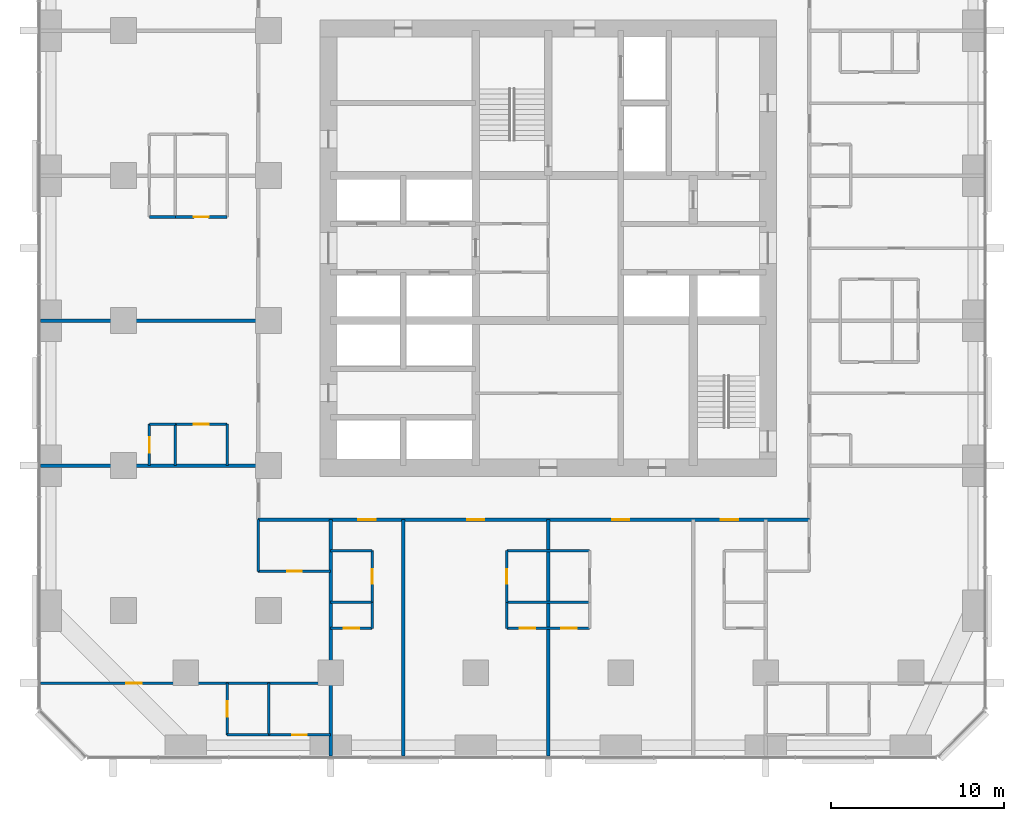
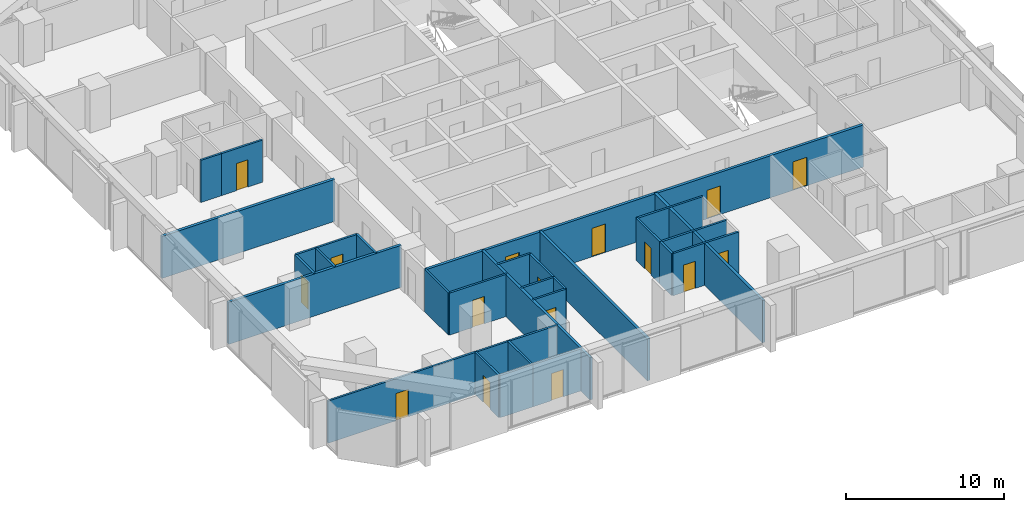
# One storey, part 8 of 14: 30 walls, 16 doors, 16 openings.
"""IFC4 building model written with IfcOpenShell, lengths in metres."""

from ifc_helpers import new_model, si_unit, direction, frame, frame_2d, origin, place, context, subcontext, project, spatial, rectangle, extrude, material, layer, layer_set, type_object, element, fill, save


model = new_model("IFC4")

# Units and contexts
model_context = context("Model", 3, precision=1e-05, world=origin(), true_north=direction((0.0, 1.0)))
body_context = subcontext(model_context, "Body", "Model", "MODEL_VIEW")
ifc_project = project(units=[si_unit("LENGTHUNIT", "METRE"), si_unit("AREAUNIT", "SQUARE_METRE"), si_unit("VOLUMEUNIT", "CUBIC_METRE"), si_unit("PLANEANGLEUNIT", "RADIAN"), si_unit("MASSUNIT", "GRAM", prefix="KILO")], contexts=[model_context])

# Site, building, storey
site_placement = place(None, origin())
site = spatial("IfcSite", under=ifc_project, at=site_placement, CompositionType="ELEMENT")
building_placement = place(site_placement, origin())
building = spatial("IfcBuilding", under=site, at=building_placement, Name="Dunama Terrace Hotel", CompositionType="ELEMENT")
storey_placement = place(building_placement, frame((0.0, 0.0, 122.39990234375)))
storey = spatial("IfcBuildingStorey", under=building, at=storey_placement, Name="L31", CompositionType="ELEMENT", Elevation=122.39990234375)

# Walls
ifc_material_1 = material(Name="Gypsum board partition", Category="masonry")
ifc_layer_1 = layer(ifc_material_1, 0.14990234375)
ifc_layer_set_1 = layer_set([ifc_layer_1], Name="Bathroom partition 150")
wall_type_1 = type_object("IfcWallType", Name="Bathroom partition 150", PredefinedType="PARTITIONING", material=ifc_layer_set_1)
wall_1_placement = place(storey_placement, frame((10.800048828125, 16.800048828125, 0.0), z_axis=(0.0, 0.0, 1.0), x_axis=(0.0, 1.0, 0.0)))
element("IfcWall", 1, at=wall_1_placement, inside=storey, type_object=wall_type_1, Name="Bathroom partition 150 L31", PredefinedType="PARTITIONING", context=body_context, shape_type="SweptSolid", body=[
    extrude(rectangle(XDim=2.39990234375, YDim=0.14990234375, at=frame_2d((1.199951171875, 0.0))), origin(), (0.0, 0.0, 1.0), 3.25),
])
wall_2_placement = place(storey_placement, frame((12.60009765625, 10.675048828125, 0.0), z_axis=(0.0, 0.0, 1.0), x_axis=(0.0, 1.0, 0.0)))
element("IfcWall", 2, at=wall_2_placement, inside=storey, type_object=wall_type_1, Name="Bathroom partition 150 L31", PredefinedType="PARTITIONING", context=body_context, shape_type="SweptSolid", body=[
    extrude(rectangle(XDim=3.0, YDim=0.14990234375, at=frame_2d((1.5, 0.0))), origin(), (0.0, 0.0, 1.0), 3.25),
])

# Wall, opening, door
wall_3_placement = place(storey_placement, frame((19.199951171875, 8.875, 0.0), z_axis=(0.0, 0.0, 1.0), x_axis=(0.0, 1.0, 0.0)))
wall_3 = element("IfcWall", 3, at=wall_3_placement, inside=storey, type_object=wall_type_1, Name="Bathroom partition 150 L31", PredefinedType="PARTITIONING", context=body_context, shape_type="SweptSolid", body=[
    extrude(rectangle(XDim=3.0, YDim=0.14990234375, at=frame_2d((1.5, 0.0))), origin(), (0.0, 0.0, 1.0), 3.25),
])
opening_1_placement = place(wall_3_placement, frame((1.074951171875, 0.0, 0.0)))
opening_1 = element("IfcOpeningElement", 4, at=opening_1_placement, cuts=wall_3, Name="Opening L31-33-012", PredefinedType="OPENING", context=body_context, shape_type="SweptSolid", body=[
    extrude(rectangle(XDim=0.85009765625, YDim=2.10009765625, at=frame_2d((0.425048828125, 1.050048828125))), frame((0.0, 0.0849609375, 0.0), z_axis=(0.0, -1.0, 0.0), x_axis=(1.0, 0.0, 0.0)), (0.0, 0.0, 1.0), 0.169921875),
])
ifc_material_2 = material(Name="Timber door with steel frame", Category="steel")
door_type_1 = type_object("IfcDoorType", Name="Bathroom door 850", OperationType="SINGLE_SWING_LEFT", PredefinedType="DOOR", material=ifc_material_2)
door_1_placement = place(opening_1_placement, origin())
door_1 = element("IfcDoor", 5, at=door_1_placement, inside=storey, type_object=door_type_1, Name="Door to en-suite bathroom L31-33-012, type D2", OperationType="SINGLE_SWING_LEFT", OverallHeight=2.10009765625, OverallWidth=0.85009765625, PredefinedType="DOOR", context=body_context, shape_type="SweptSolid", body=[
    extrude(rectangle(XDim=0.85009765625, YDim=2.10009765625, at=frame_2d((0.425048828125, 1.050048828125))), frame((0.0, 0.02490234375, 0.0), z_axis=(0.0, -1.0, 0.0), x_axis=(1.0, 0.0, 0.0)), (0.0, 0.0, 1.0), 0.050048828125),
])
fill(opening_1, door_1)

wall_4_placement = place(storey_placement, frame((27.0, 8.875, 0.0), z_axis=(0.0, 0.0, 1.0), x_axis=(0.0, 1.0, 0.0)))
wall_4 = element("IfcWall", 6, at=wall_4_placement, inside=storey, type_object=wall_type_1, Name="Bathroom partition 150 L31", PredefinedType="PARTITIONING", context=body_context, shape_type="SweptSolid", body=[
    extrude(rectangle(XDim=3.0, YDim=0.14990234375, at=frame_2d((1.5, 0.0))), origin(), (0.0, 0.0, 1.0), 3.25),
])
opening_2_placement = place(wall_4_placement, frame((1.074951171875, 0.0, 0.0)))
opening_2 = element("IfcOpeningElement", 7, at=opening_2_placement, cuts=wall_4, Name="Opening L31-33-015", PredefinedType="OPENING", context=body_context, shape_type="SweptSolid", body=[
    extrude(rectangle(XDim=0.85009765625, YDim=2.10009765625, at=frame_2d((0.425048828125, 1.050048828125))), frame((0.0, 0.0849609375, 0.0), z_axis=(0.0, -1.0, 0.0), x_axis=(1.0, 0.0, 0.0)), (0.0, 0.0, 1.0), 0.169921875),
])
door_2_placement = place(opening_2_placement, frame((0.85009765625, 0.0, 0.0), z_axis=(0.0, 0.0, 1.0), x_axis=(-1.0, 0.0, 0.0)))
door_2 = element("IfcDoor", 8, at=door_2_placement, inside=storey, type_object=door_type_1, Name="Door to en-suite bathroom L31-33-015, type D2", OperationType="SINGLE_SWING_RIGHT", OverallHeight=2.10009765625, OverallWidth=0.85009765625, PredefinedType="DOOR", context=body_context, shape_type="SweptSolid", body=[
    extrude(rectangle(XDim=0.85009765625, YDim=2.10009765625, at=frame_2d((0.425048828125, 1.050048828125))), frame((0.0, 0.025146484375, 0.0), z_axis=(0.0, -1.0, 0.0), x_axis=(1.0, 0.0, 0.0)), (0.0, 0.0, 1.0), 0.050048828125),
])
fill(opening_2, door_2)

wall_5_placement = place(storey_placement, frame((13.199951171875, 1.199951171875, 0.0), z_axis=(0.0, 0.0, 1.0), x_axis=(1.0, 0.0, 0.0)))
wall_5 = element("IfcWall", 9, at=wall_5_placement, inside=storey, type_object=wall_type_1, Name="Bathroom partition 150 L31", PredefinedType="PARTITIONING", context=body_context, shape_type="SweptSolid", body=[
    extrude(rectangle(XDim=3.60009765625, YDim=0.14990234375, at=frame_2d((1.800048828125, 0.0))), origin(), (0.0, 0.0, 1.0), 3.25),
])
opening_3_placement = place(wall_5_placement, frame((1.375, 0.0, 0.0)))
opening_3 = element("IfcOpeningElement", 10, at=opening_3_placement, cuts=wall_5, Name="Opening L31-33-065", PredefinedType="OPENING", context=body_context, shape_type="SweptSolid", body=[
    extrude(rectangle(XDim=0.85009765625, YDim=2.10009765625, at=frame_2d((0.425048828125, 1.050048828125))), frame((0.0, 0.0849609375, 0.0), z_axis=(0.0, -1.0, 0.0), x_axis=(1.0, 0.0, 0.0)), (0.0, 0.0, 1.0), 0.169921875),
])
door_3_placement = place(opening_3_placement, origin())
door_3 = element("IfcDoor", 11, at=door_3_placement, inside=storey, type_object=door_type_1, Name="Door to en-suite bathroom L31-33-065, type D2", OperationType="SINGLE_SWING_RIGHT", OverallHeight=2.10009765625, OverallWidth=0.85009765625, PredefinedType="DOOR", context=body_context, shape_type="SweptSolid", body=[
    extrude(rectangle(XDim=0.85009765625, YDim=2.10009765625, at=frame_2d((0.425048828125, 1.050048828125))), frame((0.0, 0.02490234375, 0.0), z_axis=(0.0, -1.0, 0.0), x_axis=(1.0, 0.0, 0.0)), (0.0, 0.0, 1.0), 0.050048828125),
])
fill(opening_3, door_3)

wall_6_placement = place(storey_placement, frame((12.60009765625, 10.675048828125, 0.0), z_axis=(0.0, 0.0, 1.0), x_axis=(1.0, 0.0, 0.0)))
wall_6 = element("IfcWall", 12, at=wall_6_placement, inside=storey, type_object=wall_type_1, Name="Bathroom partition 150 L31", PredefinedType="PARTITIONING", context=body_context, shape_type="SweptSolid", body=[
    extrude(rectangle(XDim=4.199951171875, YDim=0.14990234375, at=frame_2d((2.10009765625, 0.0))), origin(), (0.0, 0.0, 1.0), 3.25),
])
opening_4_placement = place(wall_6_placement, frame((1.675048828125, 0.0, 0.0)))
opening_4 = element("IfcOpeningElement", 13, at=opening_4_placement, cuts=wall_6, Name="Opening L31-33-063", PredefinedType="OPENING", context=body_context, shape_type="SweptSolid", body=[
    extrude(rectangle(XDim=0.85009765625, YDim=2.10009765625, at=frame_2d((0.425048828125, 1.050048828125))), frame((0.0, 0.0849609375, 0.0), z_axis=(0.0, -1.0, 0.0), x_axis=(1.0, 0.0, 0.0)), (0.0, 0.0, 1.0), 0.169921875),
])
door_4_placement = place(opening_4_placement, origin())
door_4 = element("IfcDoor", 14, at=door_4_placement, inside=storey, type_object=door_type_1, Name="Door to powder room L31-33-063, type D2", OperationType="SINGLE_SWING_LEFT", OverallHeight=2.10009765625, OverallWidth=0.85009765625, PredefinedType="DOOR", context=body_context, shape_type="SweptSolid", body=[
    extrude(rectangle(XDim=0.85009765625, YDim=2.10009765625, at=frame_2d((0.425048828125, 1.050048828125))), frame((0.0, 0.02490234375, 0.0), z_axis=(0.0, -1.0, 0.0), x_axis=(1.0, 0.0, 0.0)), (0.0, 0.0, 1.0), 0.050048828125),
])
fill(opening_4, door_4)

# Walls
wall_7_placement = place(storey_placement, frame((16.800048828125, 11.875, 0.0), z_axis=(0.0, 0.0, 1.0), x_axis=(1.0, 0.0, 0.0)))
element("IfcWall", 15, at=wall_7_placement, inside=storey, type_object=wall_type_1, Name="Bathroom partition 150 L31", PredefinedType="PARTITIONING", context=body_context, shape_type="SweptSolid", body=[
    extrude(rectangle(XDim=2.39990234375, YDim=0.14990234375, at=frame_2d((1.199951171875, 0.0))), origin(), (0.0, 0.0, 1.0), 3.25),
])
wall_8_placement = place(storey_placement, frame((27.0, 11.875, 0.0), z_axis=(0.0, 0.0, 1.0), x_axis=(1.0, 0.0, 0.0)))
element("IfcWall", 16, at=wall_8_placement, inside=storey, type_object=wall_type_1, Name="Bathroom partition 150 L31", PredefinedType="PARTITIONING", context=body_context, shape_type="SweptSolid", body=[
    extrude(rectangle(XDim=4.800048828125, YDim=0.14990234375, at=frame_2d((2.39990234375, 0.0))), origin(), (0.0, 0.0, 1.0), 3.25),
])

# Wall, opening, door
wall_9_placement = place(storey_placement, frame((7.800048828125, 19.199951171875, 0.0), z_axis=(0.0, 0.0, 1.0), x_axis=(1.0, 0.0, 0.0)))
wall_9 = element("IfcWall", 17, at=wall_9_placement, inside=storey, type_object=wall_type_1, Name="Bathroom partition 150 L31", PredefinedType="PARTITIONING", context=body_context, shape_type="SweptSolid", body=[
    extrude(rectangle(XDim=3.0, YDim=0.14990234375, at=frame_2d((1.5, 0.0))), origin(), (0.0, 0.0, 1.0), 3.25),
])
opening_5_placement = place(wall_9_placement, frame((1.074951171875, 0.0, 0.0)))
opening_5 = element("IfcOpeningElement", 18, at=opening_5_placement, cuts=wall_9, Name="Opening L31-33-054", PredefinedType="OPENING", context=body_context, shape_type="SweptSolid", body=[
    extrude(rectangle(XDim=0.85009765625, YDim=2.10009765625, at=frame_2d((0.425048828125, 1.050048828125))), frame((0.0, 0.0849609375, 0.0), z_axis=(0.0, -1.0, 0.0), x_axis=(1.0, 0.0, 0.0)), (0.0, 0.0, 1.0), 0.169921875),
])
door_5_placement = place(opening_5_placement, frame((0.85009765625, 0.0, 0.0), z_axis=(0.0, 0.0, 1.0), x_axis=(-1.0, 0.0, 0.0)))
door_5 = element("IfcDoor", 19, at=door_5_placement, inside=storey, type_object=door_type_1, Name="Door to en-suite bathroom L31-33-054, type D2", OperationType="SINGLE_SWING_RIGHT", OverallHeight=2.10009765625, OverallWidth=0.85009765625, PredefinedType="DOOR", context=body_context, shape_type="SweptSolid", body=[
    extrude(rectangle(XDim=0.85009765625, YDim=2.10009765625, at=frame_2d((0.425048828125, 1.050048828125))), frame((0.0, 0.025146484375, 0.0), z_axis=(0.0, -1.0, 0.0), x_axis=(1.0, 0.0, 0.0)), (0.0, 0.0, 1.0), 0.050048828125),
])
fill(opening_5, door_5)

wall_10_placement = place(storey_placement, frame((7.800048828125, 31.199951171875, 0.0), z_axis=(0.0, 0.0, 1.0), x_axis=(1.0, 0.0, 0.0)))
wall_10 = element("IfcWall", 20, at=wall_10_placement, inside=storey, type_object=wall_type_1, Name="Bathroom partition 150 L31", PredefinedType="PARTITIONING", context=body_context, shape_type="SweptSolid", body=[
    extrude(rectangle(XDim=3.0, YDim=0.14990234375, at=frame_2d((1.5, 0.0))), origin(), (0.0, 0.0, 1.0), 3.25),
])
opening_6_placement = place(wall_10_placement, frame((1.074951171875, 0.0, 0.0)))
opening_6 = element("IfcOpeningElement", 21, at=opening_6_placement, cuts=wall_10, Name="Opening L31-33-057", PredefinedType="OPENING", context=body_context, shape_type="SweptSolid", body=[
    extrude(rectangle(XDim=0.85009765625, YDim=2.10009765625, at=frame_2d((0.425048828125, 1.050048828125))), frame((0.0, 0.0849609375, 0.0), z_axis=(0.0, -1.0, 0.0), x_axis=(1.0, 0.0, 0.0)), (0.0, 0.0, 1.0), 0.169921875),
])
door_6_placement = place(opening_6_placement, origin())
door_6 = element("IfcDoor", 22, at=door_6_placement, inside=storey, type_object=door_type_1, Name="Door to en-suite bathroom L31-33-057, type D2", OperationType="SINGLE_SWING_LEFT", OverallHeight=2.10009765625, OverallWidth=0.85009765625, PredefinedType="DOOR", context=body_context, shape_type="SweptSolid", body=[
    extrude(rectangle(XDim=0.85009765625, YDim=2.10009765625, at=frame_2d((0.425048828125, 1.050048828125))), frame((0.0, 0.02490234375, 0.0), z_axis=(0.0, -1.0, 0.0), x_axis=(1.0, 0.0, 0.0)), (0.0, 0.0, 1.0), 0.050048828125),
])
fill(opening_6, door_6)

# Wall, openings, doors
ifc_material_3 = material(Name="Concrete blockwork", Category="masonry")
ifc_layer_2 = layer(ifc_material_3, 0.199951171875)
ifc_layer_set_2 = layer_set([ifc_layer_2], Name="Corridor partition 200")
wall_type_2 = type_object("IfcWallType", Name="Corridor partition 200", PredefinedType="PARTITIONING", material=ifc_layer_set_2)
wall_11_placement = place(storey_placement, frame((44.52490234375, 13.675048828125, 0.0), z_axis=(0.0, 0.0, 1.0), x_axis=(-1.0, 0.0, 0.0)))
wall_11 = element("IfcWall", 23, at=wall_11_placement, inside=storey, type_object=wall_type_2, Name="Corridor partition 200 L31", PredefinedType="PARTITIONING", context=body_context, shape_type="SweptSolid", body=[
    extrude(rectangle(XDim=31.9248046875, YDim=0.199951171875, at=frame_2d((15.96240234375, 0.0))), origin(), (0.0, 0.0, 1.0), 3.25),
])
opening_7_placement = place(wall_11_placement, frame((25.125, 0.0, 0.0)))
opening_7 = element("IfcOpeningElement", 24, at=opening_7_placement, cuts=wall_11, Name="Opening L31-33-011", PredefinedType="OPENING", context=body_context, shape_type="SweptSolid", body=[
    extrude(rectangle(XDim=1.0, YDim=2.199951171875, at=frame_2d((0.5, 1.10009765625))), frame((0.0, 0.10986328125, 0.0), z_axis=(0.0, -1.0, 0.0), x_axis=(1.0, 0.0, 0.0)), (0.0, 0.0, 1.0), 0.219970703125),
])
opening_8_placement = place(wall_11_placement, frame((18.824951171875, 0.0, 0.0)))
opening_8 = element("IfcOpeningElement", 25, at=opening_8_placement, cuts=wall_11, Name="Opening L31-33-014", PredefinedType="OPENING", context=body_context, shape_type="SweptSolid", body=[
    extrude(rectangle(XDim=1.0, YDim=2.199951171875, at=frame_2d((0.5, 1.10009765625))), frame((0.0, 0.10986328125, 0.0), z_axis=(0.0, -1.0, 0.0), x_axis=(1.0, 0.0, 0.0)), (0.0, 0.0, 1.0), 0.219970703125),
])
opening_9_placement = place(wall_11_placement, frame((10.425048828125, 0.0, 0.0)))
opening_9 = element("IfcOpeningElement", 26, at=opening_9_placement, cuts=wall_11, Name="Opening L31-33-017", PredefinedType="OPENING", context=body_context, shape_type="SweptSolid", body=[
    extrude(rectangle(XDim=1.0, YDim=2.199951171875, at=frame_2d((0.5, 1.10009765625))), frame((0.0, 0.10986328125, 0.0), z_axis=(0.0, -1.0, 0.0), x_axis=(1.0, 0.0, 0.0)), (0.0, 0.0, 1.0), 0.219970703125),
])
opening_10_placement = place(wall_11_placement, frame((4.125, 0.0, 0.0)))
opening_10 = element("IfcOpeningElement", 27, at=opening_10_placement, cuts=wall_11, Name="Opening L31-33-020", PredefinedType="OPENING", context=body_context, shape_type="SweptSolid", body=[
    extrude(rectangle(XDim=1.0, YDim=2.199951171875, at=frame_2d((0.5, 1.10009765625))), frame((0.0, 0.10986328125, 0.0), z_axis=(0.0, -1.0, 0.0), x_axis=(1.0, 0.0, 0.0)), (0.0, 0.0, 1.0), 0.219970703125),
])
ifc_material_4 = material(Name="Timber door with steel frame", Category="steel")
door_type_2 = type_object("IfcDoorType", Name="Guest room door 1000", OperationType="SINGLE_SWING_LEFT", PredefinedType="DOOR", material=ifc_material_4)
door_7_placement = place(opening_7_placement, origin())
door_7 = element("IfcDoor", 28, at=door_7_placement, inside=storey, type_object=door_type_2, Name="Door to premier room L31-33-011, type D1", OperationType="SINGLE_SWING_RIGHT", OverallHeight=2.199951171875, OverallWidth=1.0, PredefinedType="DOOR", context=body_context, shape_type="SweptSolid", body=[
    extrude(rectangle(XDim=1.0, YDim=2.199951171875, at=frame_2d((0.5, 1.10009765625))), frame((0.0, 0.02490234375, 0.0), z_axis=(0.0, -1.0, 0.0), x_axis=(1.0, 0.0, 0.0)), (0.0, 0.0, 1.0), 0.050048828125),
])
fill(opening_7, door_7)
door_8_placement = place(opening_8_placement, origin())
door_8 = element("IfcDoor", 29, at=door_8_placement, inside=storey, type_object=door_type_2, Name="Door to junior suite L31-33-014, type D1", OperationType="SINGLE_SWING_LEFT", OverallHeight=2.199951171875, OverallWidth=1.0, PredefinedType="DOOR", context=body_context, shape_type="SweptSolid", body=[
    extrude(rectangle(XDim=1.0, YDim=2.199951171875, at=frame_2d((0.5, 1.10009765625))), frame((0.0, 0.02490234375, 0.0), z_axis=(0.0, -1.0, 0.0), x_axis=(1.0, 0.0, 0.0)), (0.0, 0.0, 1.0), 0.050048828125),
])
fill(opening_8, door_8)
door_9_placement = place(opening_9_placement, origin())
door_9 = element("IfcDoor", 30, at=door_9_placement, inside=storey, type_object=door_type_2, Name="Door to junior suite L31-33-017, type D1", OperationType="SINGLE_SWING_RIGHT", OverallHeight=2.199951171875, OverallWidth=1.0, PredefinedType="DOOR", context=body_context, shape_type="SweptSolid", body=[
    extrude(rectangle(XDim=1.0, YDim=2.199951171875, at=frame_2d((0.5, 1.10009765625))), frame((0.0, 0.02490234375, 0.0), z_axis=(0.0, -1.0, 0.0), x_axis=(1.0, 0.0, 0.0)), (0.0, 0.0, 1.0), 0.050048828125),
])
fill(opening_9, door_9)
door_10_placement = place(opening_10_placement, origin())
door_10 = element("IfcDoor", 31, at=door_10_placement, inside=storey, type_object=door_type_2, Name="Door to premier room L31-33-020, type D1", OperationType="SINGLE_SWING_LEFT", OverallHeight=2.199951171875, OverallWidth=1.0, PredefinedType="DOOR", context=body_context, shape_type="SweptSolid", body=[
    extrude(rectangle(XDim=1.0, YDim=2.199951171875, at=frame_2d((0.5, 1.10009765625))), frame((0.0, 0.02490234375, 0.0), z_axis=(0.0, -1.0, 0.0), x_axis=(1.0, 0.0, 0.0)), (0.0, 0.0, 1.0), 0.050048828125),
])
fill(opening_10, door_10)

# Walls
ifc_material_5 = material(Name="Concrete blockwork", Category="masonry")
ifc_layer_3 = layer(ifc_material_5, 0.199951171875)
ifc_layer_set_3 = layer_set([ifc_layer_3], Name="Party wall 200")
wall_type_3 = type_object("IfcWallType", Name="Party wall 200", PredefinedType="PARTITIONING", material=ifc_layer_set_3)
for number, where, z_axis, x_axis, name in (
    (32, (16.800048828125, -0.01806640625, 0.0), (0.0, 0.0, 1.0), (0.0, 1.0, 0.0), "Party wall 200 L31"),
    (33, (21.0, -0.01806640625, 0.0), (0.0, 0.0, 1.0), (0.0, 1.0, 0.0), "Party wall 200 L31"),
    (34, (29.39990234375, -0.01806640625, 0.0), (0.0, 0.0, 1.0), (0.0, 1.0, 0.0), "Party wall 200 L31"),
):
    element("IfcWall", number, at=place(storey_placement, frame(where, z_axis=z_axis, x_axis=x_axis)), inside=storey, type_object=wall_type_3, Name=name, PredefinedType="PARTITIONING", context=body_context, shape_type="SweptSolid", body=[
        extrude(rectangle(XDim=13.693115234375, YDim=0.199951171875, at=frame_2d((6.8466796875, 0.0))), origin(), (0.0, 0.0, 1.0), 3.25),
    ])
for number, where, z_axis, x_axis, name in (
    (35, (-0.01806640625, 16.800048828125, 0.0), (0.0, 0.0, 1.0), (1.0, 0.0, 0.0), "Party wall 200 L31"),
    (36, (-0.01806640625, 25.199951171875, 0.0), (0.0, 0.0, 1.0), (1.0, 0.0, 0.0), "Party wall 200 L31"),
):
    element("IfcWall", number, at=place(storey_placement, frame(where, z_axis=z_axis, x_axis=x_axis)), inside=storey, type_object=wall_type_3, Name=name, PredefinedType="PARTITIONING", context=body_context, shape_type="SweptSolid", body=[
        extrude(rectangle(XDim=12.6181640625, YDim=0.199951171875, at=frame_2d((6.30908203125, 0.0))), origin(), (0.0, 0.0, 1.0), 3.25),
    ])

# Wall, opening, door
ifc_material_6 = material(Name="Gypsum board partition", Category="masonry")
ifc_layer_4 = layer(ifc_material_6, 0.14990234375)
ifc_layer_set_4 = layer_set([ifc_layer_4], Name="Room partition 150")
wall_type_4 = type_object("IfcWallType", Name="Room partition 150", PredefinedType="PARTITIONING", material=ifc_layer_set_4)
wall_12_placement = place(storey_placement, frame((6.300048828125, 16.800048828125, 0.0), z_axis=(0.0, 0.0, 1.0), x_axis=(0.0, 1.0, 0.0)))
wall_12 = element("IfcWall", 37, at=wall_12_placement, inside=storey, type_object=wall_type_4, Name="Room partition 150 L31", PredefinedType="PARTITIONING", context=body_context, shape_type="SweptSolid", body=[
    extrude(rectangle(XDim=2.39990234375, YDim=0.14990234375, at=frame_2d((1.199951171875, 0.0))), origin(), (0.0, 0.0, 1.0), 3.25),
])
opening_11_placement = place(wall_12_placement, frame((0.75, 0.0, 0.0)))
opening_11 = element("IfcOpeningElement", 38, at=opening_11_placement, cuts=wall_12, Name="Opening L31-33-055", PredefinedType="OPENING", context=body_context, shape_type="SweptSolid", body=[
    extrude(rectangle(XDim=0.89990234375, YDim=2.10009765625, at=frame_2d((0.449951171875, 1.050048828125))), frame((0.0, 0.0849609375, 0.0), z_axis=(0.0, -1.0, 0.0), x_axis=(1.0, 0.0, 0.0)), (0.0, 0.0, 1.0), 0.169921875),
])
ifc_material_7 = material(Name="Timber door with steel frame", Category="steel")
door_type_3 = type_object("IfcDoorType", Name="Suite internal door 900", OperationType="SINGLE_SWING_LEFT", PredefinedType="DOOR", material=ifc_material_7)
door_11_placement = place(opening_11_placement, frame((0.89990234375, 0.0, 0.0), z_axis=(0.0, 0.0, 1.0), x_axis=(-1.0, 0.0, 0.0)))
door_11 = element("IfcDoor", 39, at=door_11_placement, inside=storey, type_object=door_type_3, Name="Door to walk-in wardrobe L31-33-055, type D16", OperationType="SINGLE_SWING_RIGHT", OverallHeight=2.10009765625, OverallWidth=0.89990234375, PredefinedType="DOOR", context=body_context, shape_type="SweptSolid", body=[
    extrude(rectangle(XDim=0.89990234375, YDim=2.10009765625, at=frame_2d((0.449951171875, 1.050048828125))), frame((0.0, 0.025146484375, 0.0), z_axis=(0.0, -1.0, 0.0), x_axis=(1.0, 0.0, 0.0)), (0.0, 0.0, 1.0), 0.050048828125),
])
fill(opening_11, door_11)

# Wall
wall_13_placement = place(storey_placement, frame((7.800048828125, 16.800048828125, 0.0), z_axis=(0.0, 0.0, 1.0), x_axis=(0.0, 1.0, 0.0)))
element("IfcWall", 40, at=wall_13_placement, inside=storey, type_object=wall_type_4, Name="Room partition 150 L31", PredefinedType="PARTITIONING", context=body_context, shape_type="SweptSolid", body=[
    extrude(rectangle(XDim=2.39990234375, YDim=0.14990234375, at=frame_2d((1.199951171875, 0.0))), origin(), (0.0, 0.0, 1.0), 3.25),
])

# Wall, opening, door
wall_14_placement = place(storey_placement, frame((10.800048828125, 1.199951171875, 0.0), z_axis=(0.0, 0.0, 1.0), x_axis=(0.0, 1.0, 0.0)))
wall_14 = element("IfcWall", 41, at=wall_14_placement, inside=storey, type_object=wall_type_4, Name="Room partition 150 L31", PredefinedType="PARTITIONING", context=body_context, shape_type="SweptSolid", body=[
    extrude(rectangle(XDim=3.0, YDim=0.14990234375, at=frame_2d((1.5, 0.0))), origin(), (0.0, 0.0, 1.0), 3.25),
])
opening_12_placement = place(wall_14_placement, frame((1.050048828125, 0.0, 0.0)))
opening_12 = element("IfcOpeningElement", 42, at=opening_12_placement, cuts=wall_14, Name="Opening L31-33-066", PredefinedType="OPENING", context=body_context, shape_type="SweptSolid", body=[
    extrude(rectangle(XDim=0.89990234375, YDim=2.10009765625, at=frame_2d((0.449951171875, 1.050048828125))), frame((0.0, 0.0849609375, 0.0), z_axis=(0.0, -1.0, 0.0), x_axis=(1.0, 0.0, 0.0)), (0.0, 0.0, 1.0), 0.169921875),
])
door_12_placement = place(opening_12_placement, frame((0.89990234375, 0.0, 0.0), z_axis=(0.0, 0.0, 1.0), x_axis=(-1.0, 0.0, 0.0)))
door_12 = element("IfcDoor", 43, at=door_12_placement, inside=storey, type_object=door_type_3, Name="Door to dressing room L31-33-066, type D16", OperationType="SINGLE_SWING_LEFT", OverallHeight=2.10009765625, OverallWidth=0.89990234375, PredefinedType="DOOR", context=body_context, shape_type="SweptSolid", body=[
    extrude(rectangle(XDim=0.89990234375, YDim=2.10009765625, at=frame_2d((0.449951171875, 1.050048828125))), frame((0.0, 0.025146484375, 0.0), z_axis=(0.0, -1.0, 0.0), x_axis=(1.0, 0.0, 0.0)), (0.0, 0.0, 1.0), 0.050048828125),
])
fill(opening_12, door_12)

# Walls
wall_15_placement = place(storey_placement, frame((13.199951171875, 1.199951171875, 0.0), z_axis=(0.0, 0.0, 1.0), x_axis=(0.0, 1.0, 0.0)))
element("IfcWall", 44, at=wall_15_placement, inside=storey, type_object=wall_type_4, Name="Room partition 150 L31", PredefinedType="PARTITIONING", context=body_context, shape_type="SweptSolid", body=[
    extrude(rectangle(XDim=3.0, YDim=0.14990234375, at=frame_2d((1.5, 0.0))), origin(), (0.0, 0.0, 1.0), 3.25),
])
for number, where, z_axis, x_axis, name in (
    (45, (19.199951171875, 7.375, 0.0), (0.0, 0.0, 1.0), (0.0, 1.0, 0.0), "Room partition 150 L31"),
    (46, (27.0, 7.375, 0.0), (0.0, 0.0, 1.0), (0.0, 1.0, 0.0), "Room partition 150 L31"),
):
    element("IfcWall", number, at=place(storey_placement, frame(where, z_axis=z_axis, x_axis=x_axis)), inside=storey, type_object=wall_type_4, Name=name, PredefinedType="PARTITIONING", context=body_context, shape_type="SweptSolid", body=[
        extrude(rectangle(XDim=1.5, YDim=0.14990234375, at=frame_2d((0.75, 0.0))), origin(), (0.0, 0.0, 1.0), 3.25),
    ])
wall_16_placement = place(storey_placement, frame((10.800048828125, 1.199951171875, 0.0), z_axis=(0.0, 0.0, 1.0), x_axis=(1.0, 0.0, 0.0)))
element("IfcWall", 47, at=wall_16_placement, inside=storey, type_object=wall_type_4, Name="Room partition 150 L31", PredefinedType="PARTITIONING", context=body_context, shape_type="SweptSolid", body=[
    extrude(rectangle(XDim=2.39990234375, YDim=0.14990234375, at=frame_2d((1.199951171875, 0.0))), origin(), (0.0, 0.0, 1.0), 3.25),
])

# Wall, opening, door
wall_17_placement = place(storey_placement, frame((-0.01806640625, 4.199951171875, 0.0), z_axis=(0.0, 0.0, 1.0), x_axis=(1.0, 0.0, 0.0)))
wall_17 = element("IfcWall", 48, at=wall_17_placement, inside=storey, type_object=wall_type_4, Name="Room partition 150 L31", PredefinedType="PARTITIONING", context=body_context, shape_type="SweptSolid", body=[
    extrude(rectangle(XDim=16.818115234375, YDim=0.14990234375, at=frame_2d((8.4091796875, 0.0))), origin(), (0.0, 0.0, 1.0), 3.25),
])
opening_13_placement = place(wall_17_placement, frame((4.968017578125, 0.0, 0.0)))
opening_13 = element("IfcOpeningElement", 49, at=opening_13_placement, cuts=wall_17, Name="Opening L31-33-064", PredefinedType="OPENING", context=body_context, shape_type="SweptSolid", body=[
    extrude(rectangle(XDim=0.89990234375, YDim=2.10009765625, at=frame_2d((0.449951171875, 1.050048828125))), frame((0.0, 0.0849609375, 0.0), z_axis=(0.0, -1.0, 0.0), x_axis=(1.0, 0.0, 0.0)), (0.0, 0.0, 1.0), 0.169921875),
])
door_13_placement = place(opening_13_placement, frame((0.89990234375, 0.0, 0.0), z_axis=(0.0, 0.0, 1.0), x_axis=(-1.0, 0.0, 0.0)))
door_13 = element("IfcDoor", 50, at=door_13_placement, inside=storey, type_object=door_type_3, Name="Door to corner suite bedroom L31-33-064, type D16", OperationType="SINGLE_SWING_LEFT", OverallHeight=2.10009765625, OverallWidth=0.89990234375, PredefinedType="DOOR", context=body_context, shape_type="SweptSolid", body=[
    extrude(rectangle(XDim=0.89990234375, YDim=2.10009765625, at=frame_2d((0.449951171875, 1.050048828125))), frame((0.0, 0.025146484375, 0.0), z_axis=(0.0, -1.0, 0.0), x_axis=(1.0, 0.0, 0.0)), (0.0, 0.0, 1.0), 0.050048828125),
])
fill(opening_13, door_13)

wall_18_placement = place(storey_placement, frame((16.800048828125, 7.375, 0.0), z_axis=(0.0, 0.0, 1.0), x_axis=(1.0, 0.0, 0.0)))
wall_18 = element("IfcWall", 51, at=wall_18_placement, inside=storey, type_object=wall_type_4, Name="Room partition 150 L31", PredefinedType="PARTITIONING", context=body_context, shape_type="SweptSolid", body=[
    extrude(rectangle(XDim=2.39990234375, YDim=0.14990234375, at=frame_2d((1.199951171875, 0.0))), origin(), (0.0, 0.0, 1.0), 3.25),
])
opening_14_placement = place(wall_18_placement, frame((0.75, 0.0, 0.0)))
opening_14 = element("IfcOpeningElement", 52, at=opening_14_placement, cuts=wall_18, Name="Opening L31-33-013", PredefinedType="OPENING", context=body_context, shape_type="SweptSolid", body=[
    extrude(rectangle(XDim=0.89990234375, YDim=2.10009765625, at=frame_2d((0.449951171875, 1.050048828125))), frame((0.0, 0.0849609375, 0.0), z_axis=(0.0, -1.0, 0.0), x_axis=(1.0, 0.0, 0.0)), (0.0, 0.0, 1.0), 0.169921875),
])
door_14_placement = place(opening_14_placement, origin())
door_14 = element("IfcDoor", 53, at=door_14_placement, inside=storey, type_object=door_type_3, Name="Door to walk-in wardrobe L31-33-013, type D16", OperationType="SINGLE_SWING_LEFT", OverallHeight=2.10009765625, OverallWidth=0.89990234375, PredefinedType="DOOR", context=body_context, shape_type="SweptSolid", body=[
    extrude(rectangle(XDim=0.89990234375, YDim=2.10009765625, at=frame_2d((0.449951171875, 1.050048828125))), frame((0.0, 0.02490234375, 0.0), z_axis=(0.0, -1.0, 0.0), x_axis=(1.0, 0.0, 0.0)), (0.0, 0.0, 1.0), 0.050048828125),
])
fill(opening_14, door_14)

# Wall, openings, doors
wall_19_placement = place(storey_placement, frame((27.0, 7.375, 0.0), z_axis=(0.0, 0.0, 1.0), x_axis=(1.0, 0.0, 0.0)))
wall_19 = element("IfcWall", 54, at=wall_19_placement, inside=storey, type_object=wall_type_4, Name="Room partition 150 L31", PredefinedType="PARTITIONING", context=body_context, shape_type="SweptSolid", body=[
    extrude(rectangle(XDim=4.800048828125, YDim=0.14990234375, at=frame_2d((2.39990234375, 0.0))), origin(), (0.0, 0.0, 1.0), 3.25),
])
opening_15_placement = place(wall_19_placement, frame((0.75, 0.0, 0.0)))
opening_15 = element("IfcOpeningElement", 55, at=opening_15_placement, cuts=wall_19, Name="Opening L31-33-016", PredefinedType="OPENING", context=body_context, shape_type="SweptSolid", body=[
    extrude(rectangle(XDim=0.89990234375, YDim=2.10009765625, at=frame_2d((0.449951171875, 1.050048828125))), frame((0.0, 0.0849609375, 0.0), z_axis=(0.0, -1.0, 0.0), x_axis=(1.0, 0.0, 0.0)), (0.0, 0.0, 1.0), 0.169921875),
])
opening_16_placement = place(wall_19_placement, frame((3.14990234375, 0.0, 0.0)))
opening_16 = element("IfcOpeningElement", 56, at=opening_16_placement, cuts=wall_19, Name="Opening L31-33-019", PredefinedType="OPENING", context=body_context, shape_type="SweptSolid", body=[
    extrude(rectangle(XDim=0.89990234375, YDim=2.10009765625, at=frame_2d((0.449951171875, 1.050048828125))), frame((0.0, 0.0849609375, 0.0), z_axis=(0.0, -1.0, 0.0), x_axis=(1.0, 0.0, 0.0)), (0.0, 0.0, 1.0), 0.169921875),
])
door_15_placement = place(opening_15_placement, origin())
door_15 = element("IfcDoor", 57, at=door_15_placement, inside=storey, type_object=door_type_3, Name="Door to walk-in wardrobe L31-33-016, type D16", OperationType="SINGLE_SWING_LEFT", OverallHeight=2.10009765625, OverallWidth=0.89990234375, PredefinedType="DOOR", context=body_context, shape_type="SweptSolid", body=[
    extrude(rectangle(XDim=0.89990234375, YDim=2.10009765625, at=frame_2d((0.449951171875, 1.050048828125))), frame((0.0, 0.02490234375, 0.0), z_axis=(0.0, -1.0, 0.0), x_axis=(1.0, 0.0, 0.0)), (0.0, 0.0, 1.0), 0.050048828125),
])
fill(opening_15, door_15)
door_16_placement = place(opening_16_placement, origin())
door_16 = element("IfcDoor", 58, at=door_16_placement, inside=storey, type_object=door_type_3, Name="Door to walk-in wardrobe L31-33-019, type D16", OperationType="SINGLE_SWING_LEFT", OverallHeight=2.10009765625, OverallWidth=0.89990234375, PredefinedType="DOOR", context=body_context, shape_type="SweptSolid", body=[
    extrude(rectangle(XDim=0.89990234375, YDim=2.10009765625, at=frame_2d((0.449951171875, 1.050048828125))), frame((0.0, 0.02490234375, 0.0), z_axis=(0.0, -1.0, 0.0), x_axis=(1.0, 0.0, 0.0)), (0.0, 0.0, 1.0), 0.050048828125),
])
fill(opening_16, door_16)

# Walls
wall_20_placement = place(storey_placement, frame((16.800048828125, 8.875, 0.0), z_axis=(0.0, 0.0, 1.0), x_axis=(1.0, 0.0, 0.0)))
element("IfcWall", 59, at=wall_20_placement, inside=storey, type_object=wall_type_4, Name="Room partition 150 L31", PredefinedType="PARTITIONING", context=body_context, shape_type="SweptSolid", body=[
    extrude(rectangle(XDim=2.39990234375, YDim=0.14990234375, at=frame_2d((1.199951171875, 0.0))), origin(), (0.0, 0.0, 1.0), 3.25),
])
wall_21_placement = place(storey_placement, frame((27.0, 8.875, 0.0), z_axis=(0.0, 0.0, 1.0), x_axis=(1.0, 0.0, 0.0)))
element("IfcWall", 60, at=wall_21_placement, inside=storey, type_object=wall_type_4, Name="Room partition 150 L31", PredefinedType="PARTITIONING", context=body_context, shape_type="SweptSolid", body=[
    extrude(rectangle(XDim=4.800048828125, YDim=0.14990234375, at=frame_2d((2.39990234375, 0.0))), origin(), (0.0, 0.0, 1.0), 3.25),
])
for number, where, z_axis, x_axis, name in (
    (61, (6.300048828125, 19.199951171875, 0.0), (0.0, 0.0, 1.0), (1.0, 0.0, 0.0), "Room partition 150 L31"),
    (62, (6.300048828125, 31.199951171875, 0.0), (0.0, 0.0, 1.0), (1.0, 0.0, 0.0), "Room partition 150 L31"),
):
    element("IfcWall", number, at=place(storey_placement, frame(where, z_axis=z_axis, x_axis=x_axis)), inside=storey, type_object=wall_type_4, Name=name, PredefinedType="PARTITIONING", context=body_context, shape_type="SweptSolid", body=[
        extrude(rectangle(XDim=1.5, YDim=0.14990234375, at=frame_2d((0.75, 0.0))), origin(), (0.0, 0.0, 1.0), 3.25),
    ])

save(model, "model.ifc")
